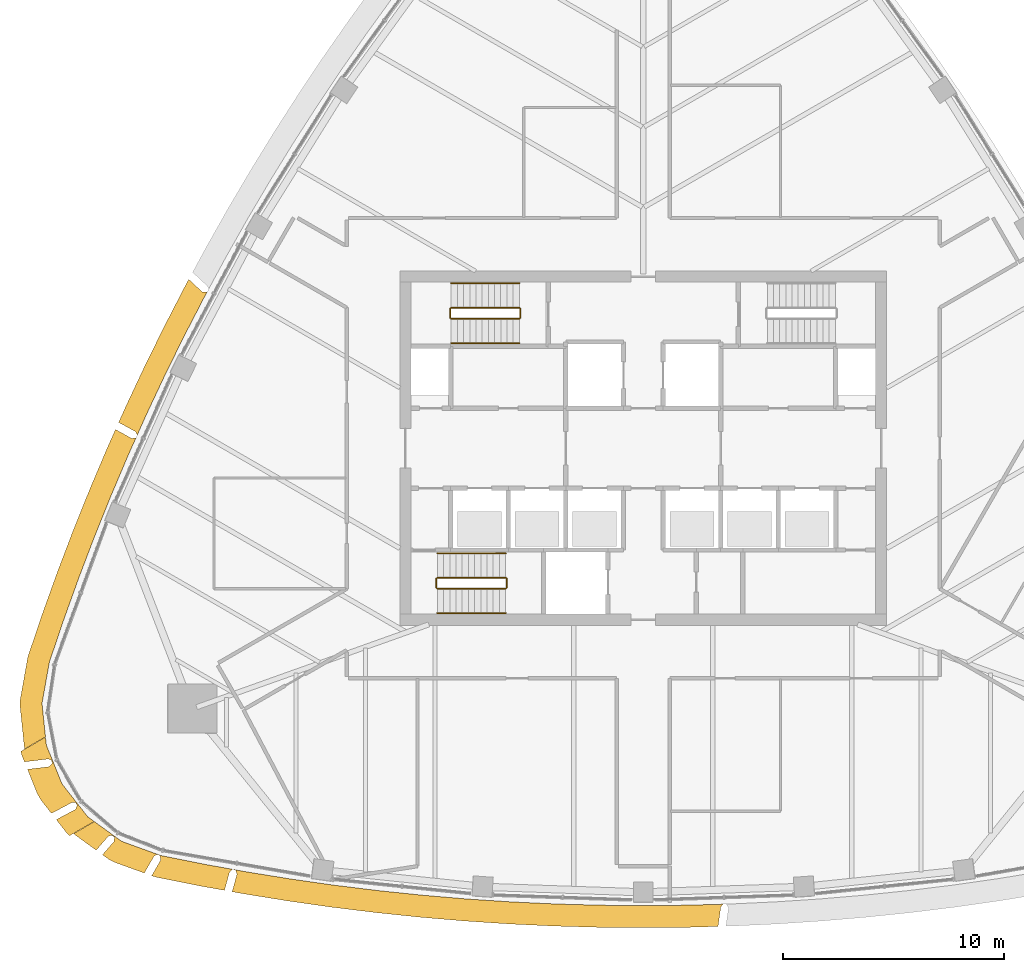
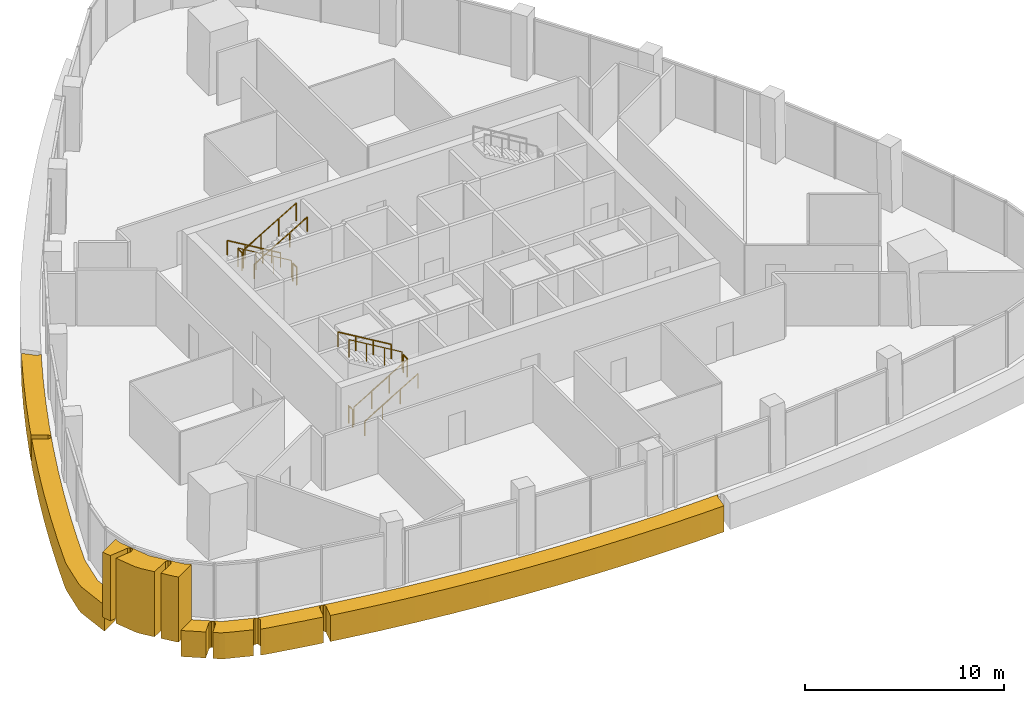
# One storey, part 12 of 15: 12 railings, 4 coverings.
"""IFC4 building model written with IfcOpenShell, lengths in metres."""

from ifc_helpers import new_model, si_unit, direction, frame, origin, origin_2d, place, context, subcontext, project, spatial, polyline, circle, outline, extrude, material, layer, layer_set, type_object, element, save


model = new_model("IFC4")

# Units and contexts
model_context = context("Model", 3, precision=1e-05, world=origin(), true_north=direction((0.0, 1.0)))
body_context = subcontext(model_context, "Body", "Model", "MODEL_VIEW")
ifc_project = project(units=[si_unit("LENGTHUNIT", "METRE"), si_unit("AREAUNIT", "SQUARE_METRE"), si_unit("VOLUMEUNIT", "CUBIC_METRE"), si_unit("PLANEANGLEUNIT", "RADIAN"), si_unit("MASSUNIT", "GRAM", prefix="KILO")], contexts=[model_context])

# Site, building, storey
site_placement = place(None, origin())
site = spatial("IfcSite", under=ifc_project, at=site_placement, CompositionType="ELEMENT")
building_placement = place(site_placement, origin())
building = spatial("IfcBuilding", under=site, at=building_placement, Name="Sierra Prisma Convention Tower", CompositionType="ELEMENT")
storey_placement = place(building_placement, frame((0.0, 0.0, 299.0)))
storey = spatial("IfcBuildingStorey", under=building, at=storey_placement, Name="L68", CompositionType="ELEMENT", Elevation=299.0)

# Coverings
ifc_material_1 = material(Name="Aluminium composite bronze anodised", Category="aluminium")
ifc_layer_1 = layer(ifc_material_1, 1.199951171875)
ifc_layer_set_1 = layer_set([ifc_layer_1], Name="Bronze corner pier")
covering_type_1 = type_object("IfcCoveringType", Name="Bronze corner pier", PredefinedType="CLADDING", material=ifc_layer_set_1)
covering_1_placement = place(storey_placement, frame((0.0, 0.0, -0.60009765625)))
element("IfcCovering", 1, at=covering_1_placement, inside=storey, type_object=covering_type_1, Name="Corner pier SW L68.1", PredefinedType="CLADDING", context=body_context, shape_type="SweptSolid", body=[
    extrude(outline(polyline([(-26.971923828125, -13.410400390625), (-26.264404296875, -15.163818359375), (-25.099609375, -16.6533203125), (-24.808837890625, -16.86376953125), (-25.9248046875, -17.508056640625), (-26.044921875, -17.392333984375), (-26.523193359375, -16.78076171875), (-25.6708984375, -16.326904296875), (-25.666748046875, -16.324462890625), (-25.6630859375, -16.32177734375), (-25.65966796875, -16.318603515625), (-25.656494140625, -16.3154296875), (-25.653564453125, -16.311767578125), (-25.65087890625, -16.307861328125), (-25.64892578125, -16.3037109375), (-25.582275390625, -16.15869140625), (-25.580322265625, -16.154296875), (-25.5791015625, -16.1494140625), (-25.578125, -16.14453125), (-25.57763671875, -16.139404296875), (-25.577880859375, -16.134521484375), (-25.578369140625, -16.129638671875), (-25.57958984375, -16.124755859375), (-25.5810546875, -16.1201171875), (-25.5830078125, -16.115478515625), (-25.58544921875, -16.111083984375), (-25.58837890625, -16.107177734375), (-25.64990234375, -16.0283203125), (-25.6533203125, -16.0244140625), (-25.656982421875, -16.02099609375), (-25.6611328125, -16.017822265625), (-25.66552734375, -16.01513671875), (-25.67041015625, -16.012939453125), (-25.67529296875, -16.01123046875), (-25.68017578125, -16.010009765625), (-25.685302734375, -16.00927734375), (-25.6904296875, -16.009033203125), (-25.81298828125, -16.01220703125), (-25.817626953125, -16.012451171875), (-25.822265625, -16.01318359375), (-25.82666015625, -16.014404296875), (-25.8310546875, -16.01611328125), (-25.835205078125, -16.01806640625), (-26.7421875, -16.500732421875), (-27.209716796875, -15.903076171875), (-27.377197265625, -15.61279296875), (-27.822998046875, -14.5078125), (-26.861083984375, -14.390380859375), (-26.856201171875, -14.389404296875), (-26.851318359375, -14.38818359375), (-26.8466796875, -14.38623046875), (-26.84228515625, -14.384033203125), (-26.838134765625, -14.38134765625), (-26.834228515625, -14.37841796875), (-26.83056640625, -14.374755859375), (-26.7158203125, -14.252197265625), (-26.712646484375, -14.24853515625), (-26.7099609375, -14.24462890625), (-26.70751953125, -14.240478515625), (-26.705810546875, -14.236328125), (-26.7041015625, -14.231689453125), (-26.703125, -14.227294921875), (-26.702392578125, -14.222412109375), (-26.702392578125, -14.2177734375), (-26.702392578125, -14.213134765625), (-26.703125, -14.20849609375), (-26.704345703125, -14.203857421875), (-26.705810546875, -14.19921875), (-26.743408203125, -14.106689453125), (-26.745361328125, -14.10205078125), (-26.747802734375, -14.097900390625), (-26.750732421875, -14.09375), (-26.754150390625, -14.090087890625), (-26.7578125, -14.0869140625), (-26.76171875, -14.083740234375), (-26.76611328125, -14.081298828125), (-26.7705078125, -14.0791015625), (-26.775146484375, -14.077392578125), (-26.8828125, -14.044677734375), (-26.887939453125, -14.04345703125), (-26.89306640625, -14.042724609375), (-26.898193359375, -14.04248046875), (-26.903564453125, -14.04296875), (-27.95849609375, -14.171875), (-28.084716796875, -13.859375), (-28.125, -13.697509765625), (-27.0087890625, -13.05322265625), (-26.971923828125, -13.410400390625)])), origin(), (0.0, 0.0, 1.0), 4.0),
])
ifc_material_2 = material(Name="Aluminium composite bronze anodised", Category="aluminium")
ifc_layer_2 = layer(ifc_material_2, 1.0)
ifc_layer_set_2 = layer_set([ifc_layer_2], Name="Bronze spandrel band")
covering_type_2 = type_object("IfcCoveringType", Name="Bronze spandrel band", PredefinedType="CLADDING", material=ifc_layer_set_2)
covering_2_placement = place(storey_placement, frame((0.0, 0.0, -1.60009765625)))
element("IfcCovering", 2, at=covering_2_placement, inside=storey, type_object=covering_type_2, Name="Spandrel band L68.1", PredefinedType="CLADDING", context=body_context, shape_type="SweptSolid", body=[
    extrude(outline(polyline([(-24.19873046875, 0.058837890625), (-23.8466796875, 0.846923828125), (-23.129638671875, 0.452392578125), (-23.125244140625, 0.4501953125), (-23.12060546875, 0.448486328125), (-23.115478515625, 0.447265625), (-23.110595703125, 0.446533203125), (-23.105712890625, 0.4462890625), (-23.1005859375, 0.446533203125), (-22.95068359375, 0.4619140625), (-22.946044921875, 0.46240234375), (-22.94140625, 0.463623046875), (-22.936767578125, 0.46533203125), (-22.9326171875, 0.46728515625), (-22.928466796875, 0.4697265625), (-22.924560546875, 0.472412109375), (-22.9208984375, 0.4755859375), (-22.91748046875, 0.479248046875), (-22.914794921875, 0.48291015625), (-22.912109375, 0.487060546875), (-22.91162109375, 0.48828125), (-23.285888671875, -0.34912109375), (-24.065185546875, -2.185546875), (-24.810302734375, -4.036376953125), (-25.520263671875, -5.90087890625), (-26.195068359375, -7.7783203125), (-26.83447265625, -9.668212890625), (-27.1669921875, -11.529541015625), (-27.010009765625, -13.04248046875), (-27.948974609375, -13.58447265625), (-27.966552734375, -13.513427734375), (-28.16162109375, -11.6328125), (-28.1513671875, -11.353515625), (-27.81884765625, -9.4921875), (-27.78173828125, -9.34765625), (-27.142333984375, -7.457763671875), (-27.135986328125, -7.440185546875), (-26.461181640625, -5.5625), (-26.45458984375, -5.544921875), (-25.744873046875, -3.680419921875), (-25.73779296875, -3.6630859375), (-24.992919921875, -1.812255859375), (-24.98583984375, -1.794921875), (-24.206298828125, 0.04150390625), (-24.19873046875, 0.058837890625)])), origin(), (0.0, 0.0, 1.0), 1.60009765625),
])
covering_3_placement = place(storey_placement, frame((0.0, 0.0, -1.60009765625)))
element("IfcCovering", 3, at=covering_3_placement, inside=storey, type_object=covering_type_2, Name="Spandrel band L68.2", PredefinedType="CLADDING", context=body_context, shape_type="SweptSolid", body=[
    extrude(outline(polyline([(-21.7900390625, -18.4052734375), (-19.833740234375, -18.79638671875), (-17.870361328125, -19.150634765625), (-15.900634765625, -19.468017578125), (-13.92529296875, -19.748291015625), (-11.9453125, -19.991455078125), (-9.960693359375, -20.197509765625), (-7.972900390625, -20.365966796875), (-5.982177734375, -20.4970703125), (-3.9892578125, -20.5908203125), (-1.9951171875, -20.64697265625), (0.0, -20.665771484375), (1.9951171875, -20.64697265625), (3.595458984375, -20.601806640625), (3.592529296875, -20.603515625), (3.588134765625, -20.6064453125), (3.584228515625, -20.609619140625), (3.580810546875, -20.613525390625), (3.57763671875, -20.61767578125), (3.508056640625, -20.718505859375), (3.505615234375, -20.722412109375), (3.50341796875, -20.7265625), (3.501953125, -20.73095703125), (3.50048828125, -20.7353515625), (3.499755859375, -20.739990234375), (3.378662109375, -21.6083984375), (2.023193359375, -21.646484375), (2.00439453125, -21.64697265625), (0.009521484375, -21.665771484375), (-0.009521484375, -21.665771484375), (-2.00439453125, -21.64697265625), (-2.023193359375, -21.646484375), (-4.017333984375, -21.59033203125), (-4.0361328125, -21.589599609375), (-6.029052734375, -21.495849609375), (-6.0478515625, -21.494873046875), (-8.03857421875, -21.36376953125), (-8.057373046875, -21.3623046875), (-10.04541015625, -21.19384765625), (-10.06396484375, -21.19189453125), (-12.04833984375, -20.986083984375), (-12.067138671875, -20.98388671875), (-14.04736328125, -20.740966796875), (-14.06591796875, -20.738525390625), (-16.041259765625, -20.458251953125), (-16.059814453125, -20.455322265625), (-18.029296875, -20.137939453125), (-18.048095703125, -20.134765625), (-18.57568359375, -20.03955078125), (-18.361083984375, -19.255615234375), (-18.360107421875, -19.250732421875), (-18.359619140625, -19.245849609375), (-18.359619140625, -19.24072265625), (-18.35986328125, -19.235595703125), (-18.36083984375, -19.230712890625), (-18.3623046875, -19.225830078125), (-18.412109375, -19.083740234375), (-18.4140625, -19.079345703125), (-18.416259765625, -19.0751953125), (-18.418701171875, -19.0712890625), (-18.421875, -19.0673828125), (-18.425048828125, -19.06396484375), (-18.4287109375, -19.060791015625), (-18.4326171875, -19.05810546875), (-18.436767578125, -19.055908203125), (-18.441162109375, -19.0537109375), (-18.44580078125, -19.05224609375), (-18.450439453125, -19.05126953125), (-18.548828125, -19.033447265625), (-18.5537109375, -19.03271484375), (-18.55859375, -19.03271484375), (-18.563232421875, -19.032958984375), (-18.568115234375, -19.03369140625), (-18.57275390625, -19.034912109375), (-18.577392578125, -19.03662109375), (-18.581787109375, -19.038818359375), (-18.5859375, -19.041259765625), (-18.58984375, -19.044189453125), (-18.59326171875, -19.04736328125), (-18.686279296875, -19.1416015625), (-18.689697265625, -19.145263671875), (-18.692626953125, -19.1494140625), (-18.695068359375, -19.15380859375), (-18.697265625, -19.158447265625), (-18.69873046875, -19.163330078125), (-18.92138671875, -19.977294921875), (-20.01123046875, -19.780517578125), (-20.02978515625, -19.777099609375), (-21.986083984375, -19.3857421875), (-22.1298828125, -19.345703125), (-22.210693359375, -19.316650390625), (-21.816162109375, -18.629638671875), (-21.814208984375, -18.62548828125), (-21.8125, -18.62109375), (-21.81103515625, -18.61669921875), (-21.81005859375, -18.6123046875), (-21.809814453125, -18.607666015625), (-21.8095703125, -18.60302734375), (-21.81005859375, -18.598388671875), (-21.83056640625, -18.440185546875), (-21.83154296875, -18.435302734375), (-21.832763671875, -18.430419921875), (-21.834716796875, -18.42578125), (-21.8369140625, -18.42138671875), (-21.839599609375, -18.417236328125), (-21.8427734375, -18.41357421875), (-21.84619140625, -18.409912109375), (-21.85009765625, -18.40673828125), (-21.854248046875, -18.40380859375), (-21.858642578125, -18.401611328125), (-21.86328125, -18.399658203125), (-21.957275390625, -18.36572265625), (-21.962158203125, -18.3642578125), (-21.96728515625, -18.36328125), (-21.972412109375, -18.36279296875), (-21.9775390625, -18.36279296875), (-21.982666015625, -18.36328125), (-21.98779296875, -18.364501953125), (-21.99267578125, -18.3662109375), (-21.997314453125, -18.368408203125), (-22.001708984375, -18.37109375), (-22.10400390625, -18.438720703125), (-22.107666015625, -18.44140625), (-22.111083984375, -18.4443359375), (-22.114501953125, -18.44775390625), (-22.1171875, -18.451416015625), (-22.11962890625, -18.455322265625), (-22.544921875, -19.19580078125), (-23.908203125, -18.702880859375), (-24.155029296875, -18.572509765625), (-24.434814453125, -18.36962890625), (-23.9248046875, -17.781005859375), (-23.921630859375, -17.77685546875), (-23.9189453125, -17.772705078125), (-23.91650390625, -17.76806640625), (-23.914794921875, -17.763427734375), (-23.91357421875, -17.758544921875), (-23.91259765625, -17.753662109375), (-23.896240234375, -17.60400390625), (-23.89599609375, -17.59912109375), (-23.896240234375, -17.59423828125), (-23.896728515625, -17.589599609375), (-23.89794921875, -17.5849609375), (-23.8994140625, -17.580322265625), (-23.9013671875, -17.575927734375), (-23.90380859375, -17.57177734375), (-23.906494140625, -17.56787109375), (-23.909423828125, -17.564208984375), (-23.912841796875, -17.560791015625), (-23.916748046875, -17.557861328125), (-23.997802734375, -17.499267578125), (-24.001708984375, -17.49658203125), (-24.006103515625, -17.494384765625), (-24.010498046875, -17.492431640625), (-24.01513671875, -17.4912109375), (-24.02001953125, -17.490234375), (-24.02490234375, -17.48974609375), (-24.02978515625, -17.48974609375), (-24.034423828125, -17.490234375), (-24.039306640625, -17.4912109375), (-24.0439453125, -17.49267578125), (-24.168212890625, -17.537353515625), (-24.173095703125, -17.539306640625), (-24.177490234375, -17.541748046875), (-24.181640625, -17.544677734375), (-24.185546875, -17.5478515625), (-24.189208984375, -17.551513671875), (-24.719482421875, -18.163330078125), (-25.686279296875, -17.462890625), (-25.739013671875, -17.412353515625), (-24.800048828125, -16.8701171875), (-23.568359375, -17.7626953125), (-21.7900390625, -18.4052734375)])), origin(), (0.0, 0.0, 1.0), 1.60009765625),
])
covering_4_placement = place(storey_placement, frame((0.0, 0.0, -1.60009765625)))
element("IfcCovering", 4, at=covering_4_placement, inside=storey, type_object=covering_type_2, Name="Spandrel band L68.3", PredefinedType="CLADDING", context=body_context, shape_type="SweptSolid", body=[
    extrude(outline(polyline([(-20.70654296875, 7.31591796875), (-20.53662109375, 7.630126953125), (-19.93798828125, 7.072998046875), (-19.93408203125, 7.06982421875), (-19.93017578125, 7.06689453125), (-19.92578125, 7.064697265625), (-19.921142578125, 7.062744140625), (-19.91650390625, 7.061279296875), (-19.91162109375, 7.060302734375), (-19.906494140625, 7.059814453125), (-19.73876953125, 7.05078125), (-19.734130859375, 7.05078125), (-19.7294921875, 7.05126953125), (-19.724609375, 7.052001953125), (-19.72021484375, 7.05322265625), (-19.7158203125, 7.05517578125), (-19.71142578125, 7.05712890625), (-19.708740234375, 7.05908203125), (-19.82666015625, 6.840576171875), (-20.741943359375, 5.06787109375), (-21.623779296875, 3.2783203125), (-22.4716796875, 1.472412109375), (-22.896484375, 0.522216796875), (-22.86962890625, 0.582763671875), (-22.867919921875, 0.58740234375), (-22.86669921875, 0.592041015625), (-22.86572265625, 0.5966796875), (-22.865478515625, 0.601806640625), (-22.865478515625, 0.6064453125), (-22.8662109375, 0.611328125), (-22.8671875, 0.6162109375), (-22.86865234375, 0.62060546875), (-22.87060546875, 0.625), (-22.872802734375, 0.62939453125), (-22.942626953125, 0.74169921875), (-22.945556640625, 0.745849609375), (-22.948974609375, 0.749755859375), (-22.95263671875, 0.753173828125), (-22.95654296875, 0.75634765625), (-22.9609375, 0.759033203125), (-23.703369140625, 1.16748046875), (-23.384765625, 1.88037109375), (-23.376953125, 1.8974609375), (-22.529052734375, 3.703369140625), (-22.520751953125, 3.72021484375), (-21.638916015625, 5.509765625), (-21.630615234375, 5.526611328125), (-20.71533203125, 7.29931640625), (-20.70654296875, 7.31591796875)])), origin(), (0.0, 0.0, 1.0), 1.60009765625),
])

# Railings
ifc_material_3 = material(Name="Stainless steel", Category="steel")
railing_type_1 = type_object("IfcRailingType", Name="Exit stair handrail", PredefinedType="HANDRAIL", material=ifc_material_3)
railing_1_placement = place(storey_placement, frame((-9.300048828125, -7.449951171875, 0.166748046875)))
element("IfcRailing", 5, at=railing_1_placement, inside=storey, type_object=railing_type_1, Name="L68 S1 stair handrail 1", PredefinedType="HANDRAIL", context=body_context, shape_type="SweptSolid", body=[
    extrude(circle(Radius=0.02392578125, at=origin_2d()), frame((0.0, 0.0, 0.8759765625), z_axis=(0.859308565015, 0.0, 0.511457515432), x_axis=(0.0, 1.0, 0.0)), (0.0, 0.0, 1.0), 3.58447265625),
    extrude(circle(Radius=0.02099609375, at=origin_2d()), origin(), (0.0, 0.0, 1.0), 0.851806640625),
    extrude(circle(Radius=0.02099609375, at=origin_2d()), frame((1.026611328125, 0.0, 0.611083984375)), (0.0, 0.0, 1.0), 0.851806640625),
    extrude(circle(Radius=0.02099609375, at=origin_2d()), frame((2.053466796875, 0.0, 1.22216796875)), (0.0, 0.0, 1.0), 0.851806640625),
    extrude(circle(Radius=0.02099609375, at=origin_2d()), frame((3.080078125, 0.0, 1.833251953125)), (0.0, 0.0, 1.0), 0.851806640625),
])
railing_2_placement = place(storey_placement, frame((-6.219970703125, -4.75, 2.166748046875)))
element("IfcRailing", 6, at=railing_2_placement, inside=storey, type_object=railing_type_1, Name="L68 S1 stair handrail 2", PredefinedType="HANDRAIL", context=body_context, shape_type="SweptSolid", body=[
    extrude(circle(Radius=0.02392578125, at=origin_2d()), frame((0.0, 0.0, 0.8759765625), z_axis=(-0.859308565015, 0.0, 0.511457515432), x_axis=(0.0, -1.0, 0.0)), (0.0, 0.0, 1.0), 3.58447265625),
    extrude(circle(Radius=0.02099609375, at=origin_2d()), origin(), (0.0, 0.0, 1.0), 0.851806640625),
    extrude(circle(Radius=0.02099609375, at=origin_2d()), frame((-1.026611328125, 0.0, 0.611083984375)), (0.0, 0.0, 1.0), 0.851806640625),
    extrude(circle(Radius=0.02099609375, at=origin_2d()), frame((-2.053466796875, 0.0, 1.22216796875)), (0.0, 0.0, 1.0), 0.851806640625),
    extrude(circle(Radius=0.02099609375, at=origin_2d()), frame((-3.080078125, 0.0, 1.833251953125)), (0.0, 0.0, 1.0), 0.851806640625),
])
railing_3_placement = place(storey_placement, frame((-5.60009765625, 7.449951171875, 0.166748046875)))
element("IfcRailing", 7, at=railing_3_placement, inside=storey, type_object=railing_type_1, Name="L68 S3 stair handrail 1", PredefinedType="HANDRAIL", context=body_context, shape_type="SweptSolid", body=[
    extrude(circle(Radius=0.02392578125, at=origin_2d()), frame((0.0, 0.0, 0.8759765625), z_axis=(-0.859290745958, 0.0, 0.51148745235), x_axis=(0.0, -1.0, 0.0)), (0.0, 0.0, 1.0), 3.584228515625),
    extrude(circle(Radius=0.02099609375, at=origin_2d()), origin(), (0.0, 0.0, 1.0), 0.851806640625),
    extrude(circle(Radius=0.02099609375, at=origin_2d()), frame((-1.026611328125, 0.0, 0.611083984375)), (0.0, 0.0, 1.0), 0.851806640625),
    extrude(circle(Radius=0.02099609375, at=origin_2d()), frame((-2.05322265625, 0.0, 1.22216796875)), (0.0, 0.0, 1.0), 0.851806640625),
    extrude(circle(Radius=0.02099609375, at=origin_2d()), frame((-3.079833984375, 0.0, 1.833251953125)), (0.0, 0.0, 1.0), 0.851806640625),
])
railing_4_placement = place(storey_placement, frame((-8.679931640625, 4.75, 2.166748046875)))
element("IfcRailing", 8, at=railing_4_placement, inside=storey, type_object=railing_type_1, Name="L68 S3 stair handrail 2", PredefinedType="HANDRAIL", context=body_context, shape_type="SweptSolid", body=[
    extrude(circle(Radius=0.02392578125, at=origin_2d()), frame((0.0, 0.0, 0.8759765625), z_axis=(0.859290745958, 0.0, 0.51148745235), x_axis=(0.0, 1.0, 0.0)), (0.0, 0.0, 1.0), 3.584228515625),
    extrude(circle(Radius=0.02099609375, at=origin_2d()), origin(), (0.0, 0.0, 1.0), 0.851806640625),
    extrude(circle(Radius=0.02099609375, at=origin_2d()), frame((1.026611328125, 0.0, 0.611083984375)), (0.0, 0.0, 1.0), 0.851806640625),
    extrude(circle(Radius=0.02099609375, at=origin_2d()), frame((2.05322265625, 0.0, 1.22216796875)), (0.0, 0.0, 1.0), 0.851806640625),
    extrude(circle(Radius=0.02099609375, at=origin_2d()), frame((3.079833984375, 0.0, 1.833251953125)), (0.0, 0.0, 1.0), 0.851806640625),
])
ifc_material_4 = material(Name="Stainless steel", Category="steel")
railing_type_2 = type_object("IfcRailingType", Name="Stair guard 1100", PredefinedType="GUARDRAIL", material=ifc_material_4)
railing_5_placement = place(storey_placement, frame((-9.300048828125, -6.35009765625, 0.166748046875)))
element("IfcRailing", 9, at=railing_5_placement, inside=storey, type_object=railing_type_2, Name="L68 S1 stair guard 1", PredefinedType="GUARDRAIL", context=body_context, shape_type="SweptSolid", body=[
    extrude(circle(Radius=0.02392578125, at=origin_2d()), frame((0.0, 0.0, 1.076171875), z_axis=(0.859308565015, 0.0, 0.511457515432), x_axis=(0.0, 1.0, 0.0)), (0.0, 0.0, 1.0), 3.58447265625),
    extrude(circle(Radius=0.02099609375, at=origin_2d()), origin(), (0.0, 0.0, 1.0), 1.052001953125),
    extrude(circle(Radius=0.02099609375, at=origin_2d()), frame((1.026611328125, 0.0, 0.611083984375)), (0.0, 0.0, 1.0), 1.052001953125),
    extrude(circle(Radius=0.02099609375, at=origin_2d()), frame((2.053466796875, 0.0, 1.22216796875)), (0.0, 0.0, 1.0), 1.052001953125),
    extrude(circle(Radius=0.02099609375, at=origin_2d()), frame((3.080078125, 0.0, 1.833251953125)), (0.0, 0.0, 1.0), 1.052001953125),
])
railing_6_placement = place(storey_placement, frame((-6.169921875, -6.300048828125, 2.0)))
element("IfcRailing", 10, at=railing_6_placement, inside=storey, type_object=railing_type_2, Name="L68 S1 stair guard 2", PredefinedType="GUARDRAIL", context=body_context, shape_type="SweptSolid", body=[
    extrude(circle(Radius=0.02392578125, at=origin_2d()), frame((0.0, 0.0, 1.076171875), z_axis=(0.0, 1.0, 0.0), x_axis=(-1.0, 0.0, 0.0)), (0.0, 0.0, 1.0), 0.400146484375),
    extrude(circle(Radius=0.02099609375, at=origin_2d()), origin(), (0.0, 0.0, 1.0), 1.052001953125),
    extrude(circle(Radius=0.02099609375, at=origin_2d()), frame((0.0, 0.400146484375, 0.0)), (0.0, 0.0, 1.0), 1.052001953125),
])
railing_7_placement = place(storey_placement, frame((-6.219970703125, -5.85009765625, 2.166748046875)))
element("IfcRailing", 11, at=railing_7_placement, inside=storey, type_object=railing_type_2, Name="L68 S1 stair guard 3", PredefinedType="GUARDRAIL", context=body_context, shape_type="SweptSolid", body=[
    extrude(circle(Radius=0.02392578125, at=origin_2d()), frame((0.0, 0.0, 1.076171875), z_axis=(-0.859308565015, 0.0, 0.511457515432), x_axis=(0.0, -1.0, 0.0)), (0.0, 0.0, 1.0), 3.58447265625),
    extrude(circle(Radius=0.02099609375, at=origin_2d()), origin(), (0.0, 0.0, 1.0), 1.052001953125),
    extrude(circle(Radius=0.02099609375, at=origin_2d()), frame((-1.026611328125, 0.0, 0.611083984375)), (0.0, 0.0, 1.0), 1.052001953125),
    extrude(circle(Radius=0.02099609375, at=origin_2d()), frame((-2.053466796875, 0.0, 1.22216796875)), (0.0, 0.0, 1.0), 1.052001953125),
    extrude(circle(Radius=0.02099609375, at=origin_2d()), frame((-3.080078125, 0.0, 1.833251953125)), (0.0, 0.0, 1.0), 1.052001953125),
])
railing_8_placement = place(storey_placement, frame((-9.35009765625, -6.300048828125, 0.0)))
element("IfcRailing", 12, at=railing_8_placement, inside=storey, type_object=railing_type_2, Name="L68 S1 stair guard 4", PredefinedType="GUARDRAIL", context=body_context, shape_type="SweptSolid", body=[
    extrude(circle(Radius=0.02392578125, at=origin_2d()), frame((0.0, 0.0, 1.076171875), z_axis=(0.0, 1.0, 0.0), x_axis=(-1.0, 0.0, 0.0)), (0.0, 0.0, 1.0), 0.400146484375),
    extrude(circle(Radius=0.02099609375, at=origin_2d()), origin(), (0.0, 0.0, 1.0), 1.052001953125),
    extrude(circle(Radius=0.02099609375, at=origin_2d()), frame((0.0, 0.400146484375, 0.0)), (0.0, 0.0, 1.0), 1.052001953125),
])
railing_9_placement = place(storey_placement, frame((-5.60009765625, 6.35009765625, 0.166748046875)))
element("IfcRailing", 13, at=railing_9_placement, inside=storey, type_object=railing_type_2, Name="L68 S3 stair guard 1", PredefinedType="GUARDRAIL", context=body_context, shape_type="SweptSolid", body=[
    extrude(circle(Radius=0.02392578125, at=origin_2d()), frame((0.0, 0.0, 1.076171875), z_axis=(-0.859290745958, 0.0, 0.51148745235), x_axis=(0.0, -1.0, 0.0)), (0.0, 0.0, 1.0), 3.584228515625),
    extrude(circle(Radius=0.02099609375, at=origin_2d()), origin(), (0.0, 0.0, 1.0), 1.052001953125),
    extrude(circle(Radius=0.02099609375, at=origin_2d()), frame((-1.026611328125, 0.0, 0.611083984375)), (0.0, 0.0, 1.0), 1.052001953125),
    extrude(circle(Radius=0.02099609375, at=origin_2d()), frame((-2.05322265625, 0.0, 1.22216796875)), (0.0, 0.0, 1.0), 1.052001953125),
    extrude(circle(Radius=0.02099609375, at=origin_2d()), frame((-3.079833984375, 0.0, 1.833251953125)), (0.0, 0.0, 1.0), 1.052001953125),
])
railing_10_placement = place(storey_placement, frame((-8.72998046875, 6.300048828125, 2.0)))
element("IfcRailing", 14, at=railing_10_placement, inside=storey, type_object=railing_type_2, Name="L68 S3 stair guard 2", PredefinedType="GUARDRAIL", context=body_context, shape_type="SweptSolid", body=[
    extrude(circle(Radius=0.02392578125, at=origin_2d()), frame((0.0, 0.0, 1.076171875), z_axis=(0.0, -1.0, 0.0), x_axis=(1.0, 0.0, 0.0)), (0.0, 0.0, 1.0), 0.400146484375),
    extrude(circle(Radius=0.02099609375, at=origin_2d()), origin(), (0.0, 0.0, 1.0), 1.052001953125),
    extrude(circle(Radius=0.02099609375, at=origin_2d()), frame((0.0, -0.400146484375, 0.0)), (0.0, 0.0, 1.0), 1.052001953125),
])
railing_11_placement = place(storey_placement, frame((-8.679931640625, 5.85009765625, 2.166748046875)))
element("IfcRailing", 15, at=railing_11_placement, inside=storey, type_object=railing_type_2, Name="L68 S3 stair guard 3", PredefinedType="GUARDRAIL", context=body_context, shape_type="SweptSolid", body=[
    extrude(circle(Radius=0.02392578125, at=origin_2d()), frame((0.0, 0.0, 1.076171875), z_axis=(0.859290745958, 0.0, 0.51148745235), x_axis=(0.0, 1.0, 0.0)), (0.0, 0.0, 1.0), 3.584228515625),
    extrude(circle(Radius=0.02099609375, at=origin_2d()), origin(), (0.0, 0.0, 1.0), 1.052001953125),
    extrude(circle(Radius=0.02099609375, at=origin_2d()), frame((1.026611328125, 0.0, 0.611083984375)), (0.0, 0.0, 1.0), 1.052001953125),
    extrude(circle(Radius=0.02099609375, at=origin_2d()), frame((2.05322265625, 0.0, 1.22216796875)), (0.0, 0.0, 1.0), 1.052001953125),
    extrude(circle(Radius=0.02099609375, at=origin_2d()), frame((3.079833984375, 0.0, 1.833251953125)), (0.0, 0.0, 1.0), 1.052001953125),
])
railing_12_placement = place(storey_placement, frame((-5.550048828125, 6.300048828125, 0.0)))
element("IfcRailing", 16, at=railing_12_placement, inside=storey, type_object=railing_type_2, Name="L68 S3 stair guard 4", PredefinedType="GUARDRAIL", context=body_context, shape_type="SweptSolid", body=[
    extrude(circle(Radius=0.02392578125, at=origin_2d()), frame((0.0, 0.0, 1.076171875), z_axis=(0.0, -1.0, 0.0), x_axis=(1.0, 0.0, 0.0)), (0.0, 0.0, 1.0), 0.400146484375),
    extrude(circle(Radius=0.02099609375, at=origin_2d()), origin(), (0.0, 0.0, 1.0), 1.052001953125),
    extrude(circle(Radius=0.02099609375, at=origin_2d()), frame((0.0, -0.400146484375, 0.0)), (0.0, 0.0, 1.0), 1.052001953125),
])

save(model, "model.ifc")
